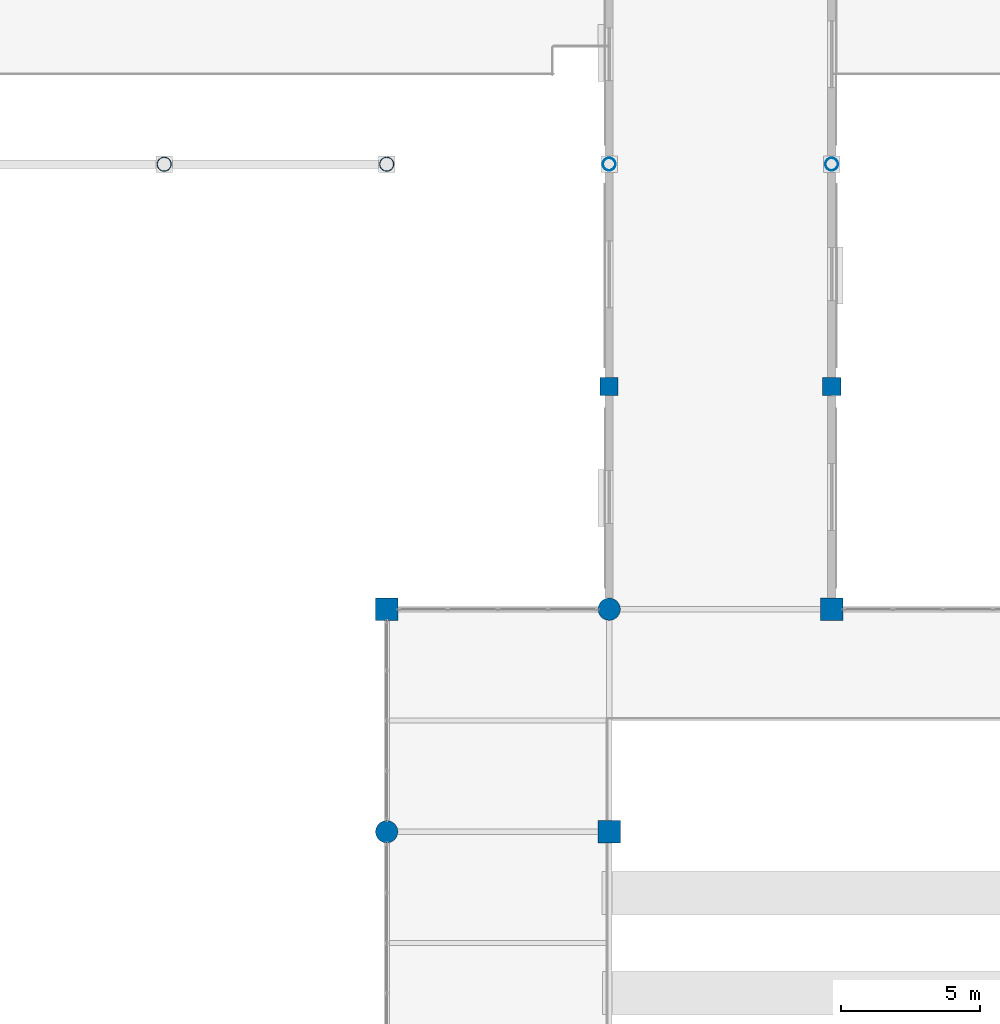
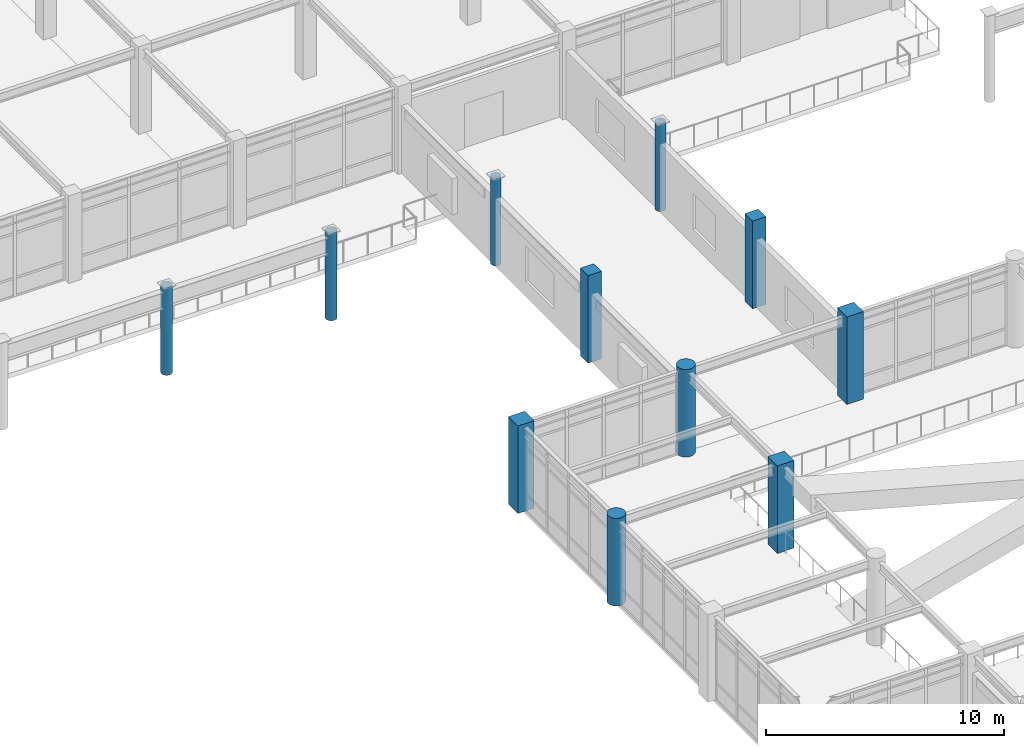
# One storey, part 8 of 78: 11 columns.
"""IFC4 building model written with IfcOpenShell, lengths in metres."""

from ifc_helpers import new_model, si_unit, direction, frame, origin, origin_2d, place, context, subcontext, project, spatial, rectangle, circle, hollow_circle, extrude, material, material_profile, profile_set, type_object, element, save


model = new_model("IFC4")

# Units and contexts
model_context = context("Model", 3, precision=1e-05, world=origin(), true_north=direction((0.0, 1.0)))
body_context = subcontext(model_context, "Body", "Model", "MODEL_VIEW")
ifc_project = project(units=[si_unit("LENGTHUNIT", "METRE"), si_unit("AREAUNIT", "SQUARE_METRE"), si_unit("VOLUMEUNIT", "CUBIC_METRE"), si_unit("PLANEANGLEUNIT", "RADIAN"), si_unit("MASSUNIT", "GRAM", prefix="KILO")], contexts=[model_context])

# Site, building, storey
site_placement = place(None, origin())
site = spatial("IfcSite", under=ifc_project, at=site_placement, CompositionType="ELEMENT")
building_placement = place(site_placement, origin())
building = spatial("IfcBuilding", under=site, at=building_placement, Name="Solmirada Galleria", CompositionType="ELEMENT")
storey_placement = place(building_placement, frame((0.0, 0.0, 23.89990234375)))
storey = spatial("IfcBuildingStorey", under=building, at=storey_placement, Name="L05", CompositionType="ELEMENT", Elevation=23.89990234375)

# Columns
ifc_material_1 = material(Name="Steel S355 / ASTM A500 Grade C", Category="steel")
ifc_material_profile_1 = material_profile(ifc_material_1, hollow_circle(Radius=0.228515625, WallThickness=0.01171875, at=origin_2d()), Name="HSS18.000X0.500")
ifc_profile_set_1 = profile_set([ifc_material_profile_1], Name="Steel S355 / ASTM A500 Grade C")
column_type_1 = type_object("IfcColumnType", Name="COL-CHS18", PredefinedType="COLUMN", material=ifc_profile_set_1)
for number, where, z_axis, x_axis, name in (
    (1, (88.0, 88.0, 0.0), (0.0, 0.0, 1.0), (1.0, 0.0, 0.0), "Structural column L05-0555"),
    (2, (96.0, 88.0, 0.0), (0.0, 0.0, 1.0), (1.0, 0.0, 0.0), "Structural column L05-0663"),
):
    element("IfcColumn", number, at=place(storey_placement, frame(where, z_axis=z_axis, x_axis=x_axis)), inside=storey, type_object=column_type_1, Name=name, PredefinedType="COLUMN", context=body_context, shape_type="SweptSolid", body=[
        extrude(hollow_circle(Radius=0.228515625, WallThickness=0.01171875, at=origin_2d()), origin(), (0.0, 0.0, 1.0), 4.5),
    ])
ifc_material_profile_2 = material_profile(ifc_material_1, hollow_circle(Radius=0.25390625, WallThickness=0.01171875, at=origin_2d()), Name="HSS20.000X0.500")
ifc_profile_set_2 = profile_set([ifc_material_profile_2], Name="Steel S355 / ASTM A500 Grade C")
column_type_2 = type_object("IfcColumnType", Name="COL-CHS20", PredefinedType="COLUMN", material=ifc_profile_set_2)
for number, where, z_axis, x_axis, name in (
    (3, (72.0, 88.0, 0.0), (0.0, 0.0, 1.0), (1.0, 0.0, 0.0), "Structural column L05-0316"),
    (4, (80.0, 88.0, 0.0), (0.0, 0.0, 1.0), (1.0, 0.0, 0.0), "Structural column L05-0433"),
):
    element("IfcColumn", number, at=place(storey_placement, frame(where, z_axis=z_axis, x_axis=x_axis)), inside=storey, type_object=column_type_2, Name=name, PredefinedType="COLUMN", context=body_context, shape_type="SweptSolid", body=[
        extrude(hollow_circle(Radius=0.25390625, WallThickness=0.01171875, at=origin_2d()), origin(), (0.0, 0.0, 1.0), 4.5),
    ])
ifc_material_2 = material(Name="Concrete C40/50", Category="concrete")
ifc_material_profile_3 = material_profile(ifc_material_2, circle(Radius=0.39990234375, at=origin_2d()), Name="RCCOL800")
ifc_profile_set_3 = profile_set([ifc_material_profile_3], Name="Concrete C40/50")
column_type_3 = type_object("IfcColumnType", Name="COL-CIR800", PredefinedType="COLUMN", material=ifc_profile_set_3)
for number, where, z_axis, x_axis, name in (
    (5, (80.0, 64.0, 0.0), (0.0, 0.0, 1.0), (1.0, 0.0, 0.0), "Structural column L05-0411"),
    (6, (88.0, 72.0, 0.0), (0.0, 0.0, 1.0), (1.0, 0.0, 0.0), "Structural column L05-0539"),
):
    element("IfcColumn", number, at=place(storey_placement, frame(where, z_axis=z_axis, x_axis=x_axis)), inside=storey, type_object=column_type_3, Name=name, PredefinedType="COLUMN", context=body_context, shape_type="SweptSolid", body=[
        extrude(circle(Radius=0.39990234375, at=origin_2d()), origin(), (0.0, 0.0, 1.0), 4.5),
    ])
ifc_material_profile_4 = material_profile(ifc_material_2, rectangle(XDim=0.64990234375, YDim=0.64990234375, at=origin_2d()), Name="RC650X650")
ifc_profile_set_4 = profile_set([ifc_material_profile_4], Name="Concrete C40/50")
column_type_4 = type_object("IfcColumnType", Name="COL-RC650", PredefinedType="COLUMN", material=ifc_profile_set_4)
for number, where, z_axis, x_axis, name in (
    (7, (88.0, 80.0, 0.0), (0.0, 0.0, 1.0), (1.0, 0.0, 0.0), "Structural column L05-0548"),
    (8, (96.0, 80.0, 0.0), (0.0, 0.0, 1.0), (1.0, 0.0, 0.0), "Structural column L05-0656"),
):
    element("IfcColumn", number, at=place(storey_placement, frame(where, z_axis=z_axis, x_axis=x_axis)), inside=storey, type_object=column_type_4, Name=name, PredefinedType="COLUMN", context=body_context, shape_type="SweptSolid", body=[
        extrude(rectangle(XDim=0.64990234375, YDim=0.64990234375, at=origin_2d()), origin(), (0.0, 0.0, 1.0), 4.5),
    ])
ifc_material_profile_5 = material_profile(ifc_material_2, rectangle(XDim=0.800048828125, YDim=0.800048828125, at=origin_2d()), Name="RC800X800")
ifc_profile_set_5 = profile_set([ifc_material_profile_5], Name="Concrete C40/50")
column_type_5 = type_object("IfcColumnType", Name="COL-RC800", PredefinedType="COLUMN", material=ifc_profile_set_5)
for number, where, z_axis, x_axis, name in (
    (9, (80.0, 72.0, 0.0), (0.0, 0.0, 1.0), (1.0, 0.0, 0.0), "Structural column L05-0420"),
    (10, (88.0, 64.0, 0.0), (0.0, 0.0, 1.0), (1.0, 0.0, 0.0), "Structural column L05-0532"),
    (11, (96.0, 72.0, 0.0), (0.0, 0.0, 1.0), (1.0, 0.0, 0.0), "Structural column L05-0647"),
):
    element("IfcColumn", number, at=place(storey_placement, frame(where, z_axis=z_axis, x_axis=x_axis)), inside=storey, type_object=column_type_5, Name=name, PredefinedType="COLUMN", context=body_context, shape_type="SweptSolid", body=[
        extrude(rectangle(XDim=0.800048828125, YDim=0.800048828125, at=origin_2d()), origin(), (0.0, 0.0, 1.0), 4.5),
    ])

save(model, "model.ifc")
